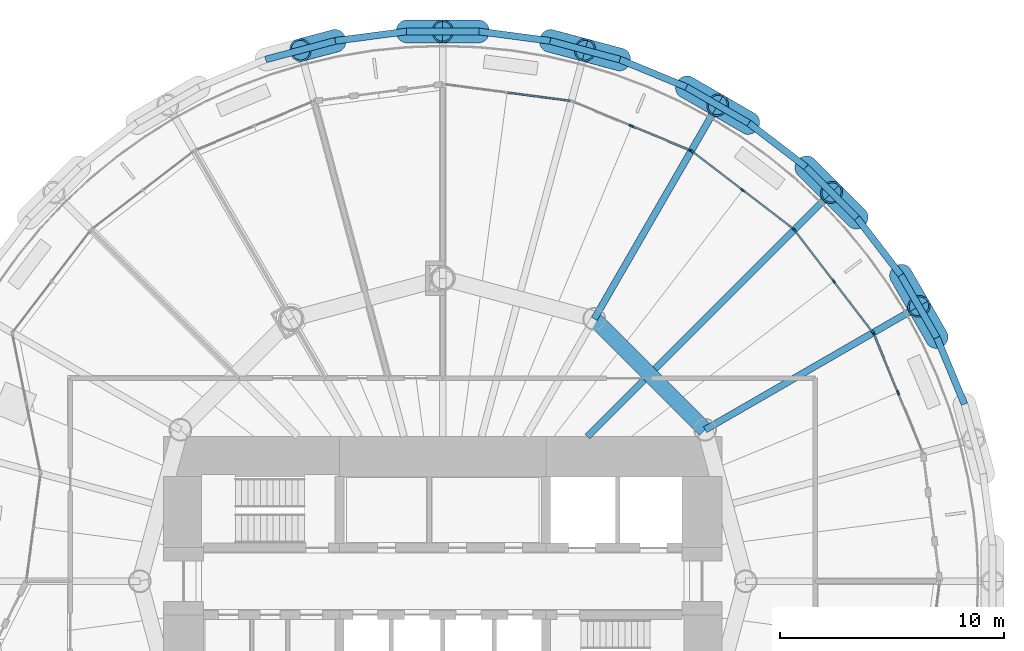
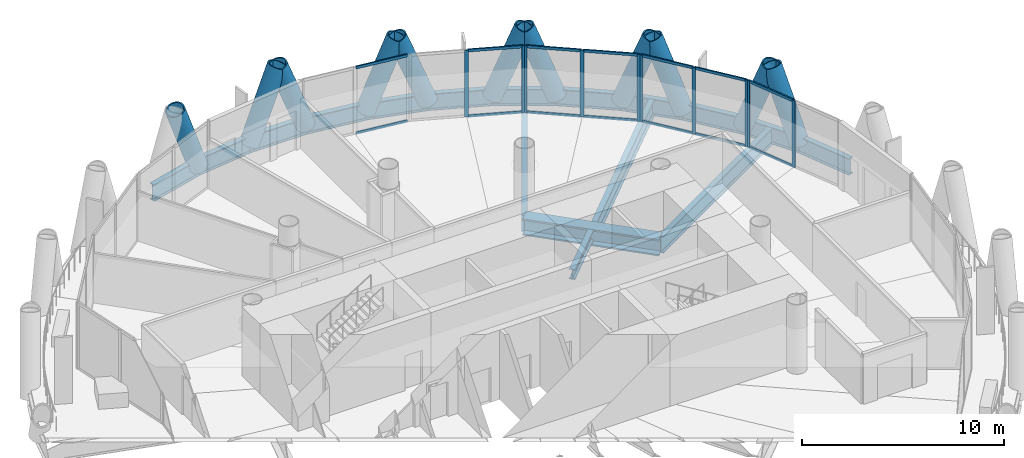
# One storey, part 7 of 16: 35 members, 17 beams, 5 elements without a shape of their own.
"""IFC4 building model written with IfcOpenShell, lengths in metres."""

from ifc_helpers import new_model, si_unit, direction, frame, origin, origin_2d, place, context, subcontext, project, spatial, rectangle, hollow_circle, i_section, extrude, material, material_profile, profile_set, type_object, element, aggregate, save


model = new_model("IFC4")

# Units and contexts
model_context = context("Model", 3, precision=1e-05, world=origin(), true_north=direction((0.0, 1.0)))
body_context = subcontext(model_context, "Body", "Model", "MODEL_VIEW")
ifc_project = project(units=[si_unit("LENGTHUNIT", "METRE"), si_unit("AREAUNIT", "SQUARE_METRE"), si_unit("VOLUMEUNIT", "CUBIC_METRE"), si_unit("PLANEANGLEUNIT", "RADIAN"), si_unit("MASSUNIT", "GRAM", prefix="KILO")], contexts=[model_context])

# Site, building, storey
site_placement = place(None, origin())
site = spatial("IfcSite", under=ifc_project, at=site_placement, CompositionType="ELEMENT")
building_placement = place(site_placement, origin())
building = spatial("IfcBuilding", under=site, at=building_placement, Name="Qaws Media Tower", CompositionType="ELEMENT")
storey_placement = place(building_placement, frame((0.0, 0.0, 173.0)))
storey = spatial("IfcBuildingStorey", under=building, at=storey_placement, Name="L39", CompositionType="ELEMENT", Elevation=173.0)

# Curtain wall, members
ifc_material_1 = material(Name="Aluminium and clear glass", Category="aluminium")
curtain_wall_type = type_object("IfcCurtainWallType", Name="Unitised curtain wall CW-B", PredefinedType="NOTDEFINED", material=ifc_material_1)
curtain_wall_1_placement = place(storey_placement, origin())
curtain_wall_1 = element("IfcCurtainWall", 1, at=curtain_wall_1_placement, inside=storey, type_object=curtain_wall_type, Name="CWB curtain wall L39-02", PredefinedType="NOTDEFINED")
ifc_material_2 = material(Name="Aluminium mullion", Category="aluminium")
ifc_material_profile_1 = material_profile(ifc_material_2, rectangle(XDim=0.080078125, YDim=0.199951171875, at=origin_2d()), Name="80x200")
ifc_profile_set_1 = profile_set([ifc_material_profile_1], Name="Aluminium mullion")
member_type_1 = type_object("IfcMemberType", Name="Curtain wall mullion 80x200", PredefinedType="MULLION", material=ifc_profile_set_1)
member_1_placement = place(storey_placement, frame((80.288818359375, 58.40380859375, 0.0), z_axis=(0.0, 0.0, 1.0), x_axis=(-0.923879550605, -0.382683388683, 0.0)))
member_1 = element("IfcMember", 2, at=member_1_placement, type_object=member_type_1, Name="CWB mullion 2", PredefinedType="MULLION", context=body_context, shape_type="SweptSolid", body=[
    extrude(rectangle(XDim=0.080078125, YDim=0.199951171875, at=origin_2d()), origin(), (0.0, 0.0, 1.0), 4.0400390625),
])
member_2_placement = place(storey_placement, frame((79.19775390625, 61.0380859375, 0.0), z_axis=(0.0, 0.0, 1.0), x_axis=(-0.923879550605, -0.382683388683, 0.0)))
member_2 = element("IfcMember", 3, at=member_2_placement, type_object=member_type_1, Name="CWB mullion 3", PredefinedType="MULLION", context=body_context, shape_type="SweptSolid", body=[
    extrude(rectangle(XDim=0.080078125, YDim=0.199951171875, at=origin_2d()), origin(), (0.0, 0.0, 1.0), 4.0400390625),
])

curtain_wall_2_placement = place(storey_placement, origin())
curtain_wall_2 = element("IfcCurtainWall", 4, at=curtain_wall_2_placement, inside=storey, type_object=curtain_wall_type, Name="CWB curtain wall L39-03", PredefinedType="NOTDEFINED")
member_3_placement = place(storey_placement, frame((79.158203125, 61.106689453125, 0.0), z_axis=(0.0, 0.0, 1.0), x_axis=(-0.793353284712, -0.60876150144, 0.0)))
member_3 = element("IfcMember", 5, at=member_3_placement, type_object=member_type_1, Name="CWB mullion 1", PredefinedType="MULLION", context=body_context, shape_type="SweptSolid", body=[
    extrude(rectangle(XDim=0.080078125, YDim=0.199951171875, at=origin_2d()), origin(), (0.0, 0.0, 1.0), 4.0400390625),
])
member_4_placement = place(storey_placement, frame((77.42236328125, 63.36865234375, 0.0), z_axis=(0.0, 0.0, 1.0), x_axis=(-0.793353284712, -0.60876150144, 0.0)))
member_4 = element("IfcMember", 6, at=member_4_placement, type_object=member_type_1, Name="CWB mullion 2", PredefinedType="MULLION", context=body_context, shape_type="SweptSolid", body=[
    extrude(rectangle(XDim=0.080078125, YDim=0.199951171875, at=origin_2d()), origin(), (0.0, 0.0, 1.0), 4.0400390625),
])
member_5_placement = place(storey_placement, frame((75.686767578125, 65.630615234375, 0.0), z_axis=(0.0, 0.0, 1.0), x_axis=(-0.793353284712, -0.60876150144, 0.0)))
member_5 = element("IfcMember", 7, at=member_5_placement, type_object=member_type_1, Name="CWB mullion 3", PredefinedType="MULLION", context=body_context, shape_type="SweptSolid", body=[
    extrude(rectangle(XDim=0.080078125, YDim=0.199951171875, at=origin_2d()), origin(), (0.0, 0.0, 1.0), 4.0400390625),
])

curtain_wall_3_placement = place(storey_placement, origin())
curtain_wall_3 = element("IfcCurtainWall", 8, at=curtain_wall_3_placement, inside=storey, type_object=curtain_wall_type, Name="CWB curtain wall L39-04", PredefinedType="NOTDEFINED")
member_6_placement = place(storey_placement, frame((75.630615234375, 65.686767578125, 0.0), z_axis=(0.0, 0.0, 1.0), x_axis=(-0.60876150144, -0.793353284712, 0.0)))
member_6 = element("IfcMember", 9, at=member_6_placement, type_object=member_type_1, Name="CWB mullion 1", PredefinedType="MULLION", context=body_context, shape_type="SweptSolid", body=[
    extrude(rectangle(XDim=0.080078125, YDim=0.199951171875, at=origin_2d()), origin(), (0.0, 0.0, 1.0), 4.0400390625),
])
member_7_placement = place(storey_placement, frame((73.36865234375, 67.42236328125, 0.0), z_axis=(0.0, 0.0, 1.0), x_axis=(-0.60876150144, -0.793353284712, 0.0)))
member_7 = element("IfcMember", 10, at=member_7_placement, type_object=member_type_1, Name="CWB mullion 2", PredefinedType="MULLION", context=body_context, shape_type="SweptSolid", body=[
    extrude(rectangle(XDim=0.080078125, YDim=0.199951171875, at=origin_2d()), origin(), (0.0, 0.0, 1.0), 4.0400390625),
])
member_8_placement = place(storey_placement, frame((71.106689453125, 69.158203125, 0.0), z_axis=(0.0, 0.0, 1.0), x_axis=(-0.60876150144, -0.793353284712, 0.0)))
member_8 = element("IfcMember", 11, at=member_8_placement, type_object=member_type_1, Name="CWB mullion 3", PredefinedType="MULLION", context=body_context, shape_type="SweptSolid", body=[
    extrude(rectangle(XDim=0.080078125, YDim=0.199951171875, at=origin_2d()), origin(), (0.0, 0.0, 1.0), 4.0400390625),
])

curtain_wall_4_placement = place(storey_placement, origin())
curtain_wall_4 = element("IfcCurtainWall", 12, at=curtain_wall_4_placement, inside=storey, type_object=curtain_wall_type, Name="CWB curtain wall L39-05", PredefinedType="NOTDEFINED")
member_9_placement = place(storey_placement, frame((71.0380859375, 69.19775390625, 0.0), z_axis=(0.0, 0.0, 1.0), x_axis=(-0.382683388683, -0.923879550605, 0.0)))
member_9 = element("IfcMember", 13, at=member_9_placement, type_object=member_type_1, Name="CWB mullion 1", PredefinedType="MULLION", context=body_context, shape_type="SweptSolid", body=[
    extrude(rectangle(XDim=0.080078125, YDim=0.199951171875, at=origin_2d()), origin(), (0.0, 0.0, 1.0), 4.0400390625),
])
member_10_placement = place(storey_placement, frame((68.40380859375, 70.288818359375, 0.0), z_axis=(0.0, 0.0, 1.0), x_axis=(-0.382683388683, -0.923879550605, 0.0)))
member_10 = element("IfcMember", 14, at=member_10_placement, type_object=member_type_1, Name="CWB mullion 2", PredefinedType="MULLION", context=body_context, shape_type="SweptSolid", body=[
    extrude(rectangle(XDim=0.080078125, YDim=0.199951171875, at=origin_2d()), origin(), (0.0, 0.0, 1.0), 4.0400390625),
])

# Member
ifc_material_3 = material(Name="Aluminium transom", Category="aluminium")
ifc_material_profile_2 = material_profile(ifc_material_3, rectangle(XDim=0.080078125, YDim=0.159912109375, at=origin_2d()), Name="80x160")
ifc_profile_set_2 = profile_set([ifc_material_profile_2], Name="Aluminium transom")
member_type_2 = type_object("IfcMemberType", Name="Curtain wall transom 80x160", PredefinedType="USERDEFINED", material=ifc_profile_set_2)
member_11_placement = place(storey_placement, frame((80.2734375, 58.44091796875, 0.0400390625), z_axis=(-0.382650085398, 0.923893344572, 0.0), x_axis=(-0.923893344572, -0.382650085398, 0.0)))
member_11 = element("IfcMember", 15, at=member_11_placement, type_object=member_type_2, Name="CWB transom 2.1", ObjectType="TRANSOM", PredefinedType="USERDEFINED", context=body_context, shape_type="SweptSolid", body=[
    extrude(rectangle(XDim=0.080078125, YDim=0.159912109375, at=origin_2d()), origin(), (0.0, 0.0, 1.0), 2.77099609375),
])

member_12_placement = place(storey_placement, frame((80.2734375, 58.44091796875, 4.0), z_axis=(-0.382650085398, 0.923893344572, 0.0), x_axis=(-0.923893344572, -0.382650085398, 0.0)))
member_12 = element("IfcMember", 16, at=member_12_placement, type_object=member_type_2, Name="CWB transom 2.2", ObjectType="TRANSOM", PredefinedType="USERDEFINED", context=body_context, shape_type="SweptSolid", body=[
    extrude(rectangle(XDim=0.080078125, YDim=0.159912109375, at=origin_2d()), origin(), (0.0, 0.0, 1.0), 2.77099609375),
])

aggregate(curtain_wall_1, [member_1, member_2, member_11, member_12])

member_13_placement = place(storey_placement, frame((79.1337890625, 61.138427734375, 0.0400390625), z_axis=(-0.608773654447, 0.793343959233, 0.0), x_axis=(-0.793343959233, -0.608773654447, 0.0)))
member_13 = element("IfcMember", 17, at=member_13_placement, type_object=member_type_2, Name="CWB transom 1.1", ObjectType="TRANSOM", PredefinedType="USERDEFINED", context=body_context, shape_type="SweptSolid", body=[
    extrude(rectangle(XDim=0.080078125, YDim=0.159912109375, at=origin_2d()), origin(), (0.0, 0.0, 1.0), 2.771240234375),
])

member_14_placement = place(storey_placement, frame((79.1337890625, 61.138427734375, 4.0), z_axis=(-0.608773654447, 0.793343959233, 0.0), x_axis=(-0.793343959233, -0.608773654447, 0.0)))
member_14 = element("IfcMember", 18, at=member_14_placement, type_object=member_type_2, Name="CWB transom 1.2", ObjectType="TRANSOM", PredefinedType="USERDEFINED", context=body_context, shape_type="SweptSolid", body=[
    extrude(rectangle(XDim=0.080078125, YDim=0.159912109375, at=origin_2d()), origin(), (0.0, 0.0, 1.0), 2.771240234375),
])

member_15_placement = place(storey_placement, frame((77.398193359375, 63.400390625, 0.0400390625), z_axis=(-0.608773654447, 0.793343959233, 0.0), x_axis=(-0.793343959233, -0.608773654447, 0.0)))
member_15 = element("IfcMember", 19, at=member_15_placement, type_object=member_type_2, Name="CWB transom 2.1", ObjectType="TRANSOM", PredefinedType="USERDEFINED", context=body_context, shape_type="SweptSolid", body=[
    extrude(rectangle(XDim=0.080078125, YDim=0.159912109375, at=origin_2d()), origin(), (0.0, 0.0, 1.0), 2.771240234375),
])

member_16_placement = place(storey_placement, frame((77.398193359375, 63.400390625, 4.0), z_axis=(-0.608773654447, 0.793343959233, 0.0), x_axis=(-0.793343959233, -0.608773654447, 0.0)))
member_16 = element("IfcMember", 20, at=member_16_placement, type_object=member_type_2, Name="CWB transom 2.2", ObjectType="TRANSOM", PredefinedType="USERDEFINED", context=body_context, shape_type="SweptSolid", body=[
    extrude(rectangle(XDim=0.080078125, YDim=0.159912109375, at=origin_2d()), origin(), (0.0, 0.0, 1.0), 2.771240234375),
])

aggregate(curtain_wall_2, [member_3, member_4, member_5, member_13, member_14, member_15, member_16])

member_17_placement = place(storey_placement, frame((75.598876953125, 65.711181640625, 0.0400390625), z_axis=(-0.793343959233, 0.608773654447, 0.0), x_axis=(-0.608773654447, -0.793343959233, 0.0)))
member_17 = element("IfcMember", 21, at=member_17_placement, type_object=member_type_2, Name="CWB transom 1.1", ObjectType="TRANSOM", PredefinedType="USERDEFINED", context=body_context, shape_type="SweptSolid", body=[
    extrude(rectangle(XDim=0.080078125, YDim=0.159912109375, at=origin_2d()), origin(), (0.0, 0.0, 1.0), 2.771240234375),
])

member_18_placement = place(storey_placement, frame((75.598876953125, 65.711181640625, 4.0), z_axis=(-0.793343959233, 0.608773654447, 0.0), x_axis=(-0.608773654447, -0.793343959233, 0.0)))
member_18 = element("IfcMember", 22, at=member_18_placement, type_object=member_type_2, Name="CWB transom 1.2", ObjectType="TRANSOM", PredefinedType="USERDEFINED", context=body_context, shape_type="SweptSolid", body=[
    extrude(rectangle(XDim=0.080078125, YDim=0.159912109375, at=origin_2d()), origin(), (0.0, 0.0, 1.0), 2.771240234375),
])

member_19_placement = place(storey_placement, frame((73.3369140625, 67.44677734375, 0.0400390625), z_axis=(-0.793343959233, 0.608773654447, 0.0), x_axis=(-0.608773654447, -0.793343959233, 0.0)))
member_19 = element("IfcMember", 23, at=member_19_placement, type_object=member_type_2, Name="CWB transom 2.1", ObjectType="TRANSOM", PredefinedType="USERDEFINED", context=body_context, shape_type="SweptSolid", body=[
    extrude(rectangle(XDim=0.080078125, YDim=0.159912109375, at=origin_2d()), origin(), (0.0, 0.0, 1.0), 2.771240234375),
])

member_20_placement = place(storey_placement, frame((73.3369140625, 67.44677734375, 4.0), z_axis=(-0.793343959233, 0.608773654447, 0.0), x_axis=(-0.608773654447, -0.793343959233, 0.0)))
member_20 = element("IfcMember", 24, at=member_20_placement, type_object=member_type_2, Name="CWB transom 2.2", ObjectType="TRANSOM", PredefinedType="USERDEFINED", context=body_context, shape_type="SweptSolid", body=[
    extrude(rectangle(XDim=0.080078125, YDim=0.159912109375, at=origin_2d()), origin(), (0.0, 0.0, 1.0), 2.771240234375),
])

aggregate(curtain_wall_3, [member_6, member_7, member_8, member_17, member_18, member_19, member_20])

member_21_placement = place(storey_placement, frame((71.0009765625, 69.213134765625, 0.0400390625), z_axis=(-0.923893344572, 0.382650085398, 0.0), x_axis=(-0.382650085398, -0.923893344572, 0.0)))
member_21 = element("IfcMember", 25, at=member_21_placement, type_object=member_type_2, Name="CWB transom 1.1", ObjectType="TRANSOM", PredefinedType="USERDEFINED", context=body_context, shape_type="SweptSolid", body=[
    extrude(rectangle(XDim=0.080078125, YDim=0.159912109375, at=origin_2d()), origin(), (0.0, 0.0, 1.0), 2.77099609375),
])

member_22_placement = place(storey_placement, frame((71.0009765625, 69.213134765625, 4.0), z_axis=(-0.923893344572, 0.382650085398, 0.0), x_axis=(-0.382650085398, -0.923893344572, 0.0)))
member_22 = element("IfcMember", 26, at=member_22_placement, type_object=member_type_2, Name="CWB transom 1.2", ObjectType="TRANSOM", PredefinedType="USERDEFINED", context=body_context, shape_type="SweptSolid", body=[
    extrude(rectangle(XDim=0.080078125, YDim=0.159912109375, at=origin_2d()), origin(), (0.0, 0.0, 1.0), 2.77099609375),
])

aggregate(curtain_wall_4, [member_9, member_10, member_21, member_22])

# Curtain wall, members
curtain_wall_5_placement = place(storey_placement, origin())
curtain_wall_5 = element("IfcCurtainWall", 27, at=curtain_wall_5_placement, inside=storey, type_object=curtain_wall_type, Name="CWB curtain wall L39-06", PredefinedType="NOTDEFINED")
member_23_placement = place(storey_placement, frame((65.653564453125, 71.40576171875, 0.0400390625), z_axis=(-0.991451896526, 0.130472743803, 0.0), x_axis=(-0.130472743803, -0.991451896526, 0.0)))
member_23 = element("IfcMember", 28, at=member_23_placement, type_object=member_type_2, Name="CWB transom 1.1", ObjectType="TRANSOM", PredefinedType="USERDEFINED", context=body_context, shape_type="SweptSolid", body=[
    extrude(rectangle(XDim=0.080078125, YDim=0.159912109375, at=origin_2d()), origin(), (0.0, 0.0, 1.0), 2.771240234375),
])
member_24_placement = place(storey_placement, frame((65.653564453125, 71.40576171875, 4.0), z_axis=(-0.991451896526, 0.130472743803, 0.0), x_axis=(-0.130472743803, -0.991451896526, 0.0)))
member_24 = element("IfcMember", 29, at=member_24_placement, type_object=member_type_2, Name="CWB transom 1.2", ObjectType="TRANSOM", PredefinedType="USERDEFINED", context=body_context, shape_type="SweptSolid", body=[
    extrude(rectangle(XDim=0.080078125, YDim=0.159912109375, at=origin_2d()), origin(), (0.0, 0.0, 1.0), 2.771240234375),
])
aggregate(curtain_wall_5, [member_23, member_24])

# Members
ifc_material_4 = material(Name="Steel S460", Category="steel")
ifc_material_profile_3 = material_profile(ifc_material_4, hollow_circle(Radius=0.508056640625, WallThickness=0.070068359375, at=origin_2d()), Name="CHS 1016x70")
ifc_profile_set_3 = profile_set([ifc_material_profile_3], Name="Steel S460")
member_type_3 = type_object("IfcMemberType", Name="Diagrid member CHS 1016x70", PredefinedType="USERDEFINED", material=ifc_profile_set_3)
for number, where, z_axis, x_axis, name in (
    (30, (82.018310546875, 60.858154296875, -0.6640625), (-0.178091829357, 0.309543146087, 0.934059067204), (-0.866779801332, -0.498691062685, 0.0), "DG3 diagrid L39 A02"),
    (31, (78.457763671875, 66.18701171875, -0.6640625), (-0.252099674082, 0.252914124892, 0.934066485727), (-0.708246232337, -0.705965490928, 0.0), "DG3 diagrid L39 A03"),
    (32, (80.41259765625, 63.63916015625, -0.6640625), (0.179018426595, -0.308952031339, 0.934077644134), (0.865242299532, 0.501353929975, 0.0), "DG3 diagrid L39 B03"),
    (33, (73.63916015625, 70.41259765625, -0.6640625), (-0.308952031339, 0.179018426595, 0.934077644134), (-0.501353929975, -0.865242299532, 0.0), "DG3 diagrid L39 A04"),
    (34, (76.18701171875, 68.457763671875, -0.6640625), (0.252914124892, -0.252099674082, 0.934066485727), (0.705965490928, 0.708246232337, 0.0), "DG3 diagrid L39 B04"),
    (35, (67.891357421875, 73.2470703125, -0.6640625), (-0.344782928051, 0.093009945788, 0.934063104136), (-0.260453274748, -0.965486453387, 0.0), "DG3 diagrid L39 A05"),
    (36, (70.858154296875, 72.018310546875, -0.6640625), (0.309543146087, -0.178091829357, 0.934059067204), (0.498691062685, 0.866779801332, 0.0), "DG3 diagrid L39 B05"),
    (37, (61.605712890625, 74.49755859375, -0.6640625), (-0.357108154799, 0.000542965113, 0.934062883839), (-0.001520448296, -0.999998844118, 0.0), "DG3 diagrid L39 A06"),
    (38, (64.78955078125, 74.078369140625, -0.6640625), (0.345058469608, -0.091870799461, 0.934074091686), (0.257284060318, 0.966335817564, 0.0), "DG3 diagrid L39 B06"),
    (39, (55.21044921875, 74.078369140625, -0.6640625), (-0.345058469608, -0.091870799461, 0.934074091686), (0.257284060318, -0.966335817564, 0.0), "DG3 diagrid L39 A07"),
    (40, (58.394287109375, 74.49755859375, -0.6640625), (0.357108154799, 0.000542965113, 0.934062883839), (-0.001520448296, 0.999998844118, 0.0), "DG3 diagrid L39 B07"),
):
    element("IfcMember", number, at=place(storey_placement, frame(where, z_axis=z_axis, x_axis=x_axis)), inside=storey, type_object=member_type_3, Name=name, ObjectType="DIAGRID", PredefinedType="USERDEFINED", context=body_context, shape_type="SweptSolid", body=[
        extrude(hollow_circle(Radius=0.508056640625, WallThickness=0.070068359375, at=origin_2d()), origin(), (0.0, 0.0, 1.0), 4.496337890625),
    ])

# Beams
ifc_material_5 = material(Name="Steel S460", Category="steel")
ifc_material_profile_4 = material_profile(ifc_material_5, i_section(OverallWidth=0.302001953125, OverallDepth=1.008056640625, WebThickness=0.02099609375, FlangeThickness=0.0400390625, FilletRadius=0.030029296875, at=origin_2d()), Name="HE 1000 M")
ifc_profile_set_4 = profile_set([ifc_material_profile_4], Name="Steel S460")
beam_type_1 = type_object("IfcBeamType", Name="Edge ring beam HE 1000 M", PredefinedType="BEAM", material=ifc_profile_set_4)
for number, where, z_axis, x_axis, name in (
    (41, (83.2470703125, 57.891357421875, -0.6640625), (-0.382649478893, 0.923893595769, 0.0), (-0.923893595769, -0.382649478893, 0.0), "RB3 edge ring beam L39-03"),
    (42, (82.018310546875, 60.858154296875, -0.6640625), (-0.500022983452, 0.866012133876, 0.0), (-0.866012133876, -0.500022983452, 0.0), "RB3 edge ring beam L39-04"),
):
    element("IfcBeam", number, at=place(storey_placement, frame(where, z_axis=z_axis, x_axis=x_axis)), inside=storey, type_object=beam_type_1, Name=name, PredefinedType="BEAM", context=body_context, shape_type="SweptSolid", body=[
        extrude(i_section(OverallWidth=0.302001953125, OverallDepth=1.008056640625, WebThickness=0.02099609375, FlangeThickness=0.0400390625, FilletRadius=0.030029296875, at=origin_2d()), origin(), (0.0, 0.0, 1.0), 3.211181640625),
    ])
for number, where, z_axis, x_axis, name in (
    (43, (80.41259765625, 63.63916015625, -0.6640625), (-0.608721978441, 0.793383610218, 0.0), (-0.793383610218, -0.608721978441, 0.0), "RB3 edge ring beam L39-05"),
    (44, (78.457763671875, 66.18701171875, -0.6640625), (-0.707106781187, 0.707106781187, 0.0), (-0.707106781187, -0.707106781187, 0.0), "RB3 edge ring beam L39-06"),
    (45, (76.18701171875, 68.457763671875, -0.6640625), (-0.793383610218, 0.608721978441, 0.0), (-0.608721978441, -0.793383610218, 0.0), "RB3 edge ring beam L39-07"),
):
    element("IfcBeam", number, at=place(storey_placement, frame(where, z_axis=z_axis, x_axis=x_axis)), inside=storey, type_object=beam_type_1, Name=name, PredefinedType="BEAM", context=body_context, shape_type="SweptSolid", body=[
        extrude(i_section(OverallWidth=0.302001953125, OverallDepth=1.008056640625, WebThickness=0.02099609375, FlangeThickness=0.0400390625, FilletRadius=0.030029296875, at=origin_2d()), origin(), (0.0, 0.0, 1.0), 3.21142578125),
    ])
for number, where, z_axis, x_axis, name in (
    (46, (73.63916015625, 70.41259765625, -0.6640625), (-0.866012133876, 0.500022983452, 0.0), (-0.500022983452, -0.866012133876, 0.0), "RB3 edge ring beam L39-08"),
    (47, (70.858154296875, 72.018310546875, -0.6640625), (-0.923893595769, 0.382649478893, 0.0), (-0.382649478893, -0.923893595769, 0.0), "RB3 edge ring beam L39-09"),
    (48, (67.891357421875, 73.2470703125, -0.6640625), (-0.965912415685, 0.258869088973, 0.0), (-0.258869088973, -0.965912415685, 0.0), "RB3 edge ring beam L39-10"),
):
    element("IfcBeam", number, at=place(storey_placement, frame(where, z_axis=z_axis, x_axis=x_axis)), inside=storey, type_object=beam_type_1, Name=name, PredefinedType="BEAM", context=body_context, shape_type="SweptSolid", body=[
        extrude(i_section(OverallWidth=0.302001953125, OverallDepth=1.008056640625, WebThickness=0.02099609375, FlangeThickness=0.0400390625, FilletRadius=0.030029296875, at=origin_2d()), origin(), (0.0, 0.0, 1.0), 3.211181640625),
    ])
for number, where, z_axis, x_axis, name in (
    (49, (64.78955078125, 74.078369140625, -0.6640625), (-0.991443682903, 0.130535143282, 0.0), (-0.130535143282, -0.991443682903, 0.0), "RB3 edge ring beam L39-11"),
    (50, (61.605712890625, 74.49755859375, -0.6640625), (-1.0, 0.0, 0.0), (0.0, -1.0, 0.0), "RB3 edge ring beam L39-12"),
    (51, (58.394287109375, 74.49755859375, -0.6640625), (-0.991443682903, -0.130535143282, 0.0), (0.130535143282, -0.991443682903, 0.0), "RB3 edge ring beam L39-13"),
):
    element("IfcBeam", number, at=place(storey_placement, frame(where, z_axis=z_axis, x_axis=x_axis)), inside=storey, type_object=beam_type_1, Name=name, PredefinedType="BEAM", context=body_context, shape_type="SweptSolid", body=[
        extrude(i_section(OverallWidth=0.302001953125, OverallDepth=1.008056640625, WebThickness=0.02099609375, FlangeThickness=0.0400390625, FilletRadius=0.030029296875, at=origin_2d()), origin(), (0.0, 0.0, 1.0), 3.21142578125),
    ])
beam_1_placement = place(storey_placement, frame((55.21044921875, 74.078369140625, -0.6640625), z_axis=(-0.965912415685, -0.258869088973, 0.0), x_axis=(0.258869088973, -0.965912415685, 0.0)))
element("IfcBeam", 52, at=beam_1_placement, inside=storey, type_object=beam_type_1, Name="RB3 edge ring beam L39-14", PredefinedType="BEAM", context=body_context, shape_type="SweptSolid", body=[
    extrude(i_section(OverallWidth=0.302001953125, OverallDepth=1.008056640625, WebThickness=0.02099609375, FlangeThickness=0.0400390625, FilletRadius=0.030029296875, at=origin_2d()), origin(), (0.0, 0.0, 1.0), 3.211181640625),
])
ifc_material_6 = material(Name="Steel S460", Category="steel")
ifc_material_profile_5 = material_profile(ifc_material_6, i_section(OverallWidth=0.699951171875, OverallDepth=1.0, WebThickness=0.034912109375, FlangeThickness=0.090087890625, at=origin_2d()), Name="PG 1000x700")
ifc_profile_set_5 = profile_set([ifc_material_profile_5], Name="Steel S460")
beam_type_2 = type_object("IfcBeamType", Name="Inner ring girder PG 1000x700", PredefinedType="BEAM", material=ifc_profile_set_5)
beam_2_placement = place(storey_placement, frame((71.69140625, 56.75, -0.659912109375), z_axis=(-0.707106781187, 0.707106781187, 0.0), x_axis=(-0.707106781187, -0.707106781187, 0.0)))
element("IfcBeam", 53, at=beam_2_placement, inside=storey, type_object=beam_type_2, Name="B3 inner ring beam L39 I02-I03", PredefinedType="BEAM", context=body_context, shape_type="SweptSolid", body=[
    extrude(i_section(OverallWidth=0.699951171875, OverallDepth=1.0, WebThickness=0.034912109375, FlangeThickness=0.090087890625, at=origin_2d()), origin(), (0.0, 0.0, 1.0), 6.98828125),
])
ifc_material_7 = material(Name="Steel S355", Category="steel")
ifc_material_profile_6 = material_profile(ifc_material_7, i_section(OverallWidth=0.302001953125, OverallDepth=1.008056640625, WebThickness=0.02099609375, FlangeThickness=0.0400390625, FilletRadius=0.030029296875, at=origin_2d()), Name="HE 1000 M")
ifc_profile_set_6 = profile_set([ifc_material_profile_6], Name="Steel S355")
beam_type_3 = type_object("IfcBeamType", Name="Radial beam HE 1000 M", PredefinedType="BEAM", material=ifc_profile_set_6)
beam_3_placement = place(storey_placement, frame((71.69140625, 56.75, -0.6640625), z_axis=(0.866019962865, 0.50000942383, 0.0), x_axis=(-0.50000942383, 0.866019962865, 0.0)))
element("IfcBeam", 54, at=beam_3_placement, inside=storey, type_object=beam_type_3, Name="B1 radial beam L39 03", PredefinedType="BEAM", context=body_context, shape_type="SweptSolid", body=[
    extrude(i_section(OverallWidth=0.302001953125, OverallDepth=1.008056640625, WebThickness=0.02099609375, FlangeThickness=0.0400390625, FilletRadius=0.030029296875, at=origin_2d()), origin(), (0.0, 0.0, 1.0), 10.997314453125),
])
beam_4_placement = place(storey_placement, frame((69.46826171875, 59.46826171875, -0.6640625), z_axis=(0.707106781187, 0.707106781187, 0.0), x_axis=(-0.707106781187, 0.707106781187, 0.0)))
element("IfcBeam", 55, at=beam_4_placement, inside=storey, type_object=beam_type_3, Name="B1 radial beam L39 04", PredefinedType="BEAM", context=body_context, shape_type="SweptSolid", body=[
    extrude(i_section(OverallWidth=0.302001953125, OverallDepth=1.008056640625, WebThickness=0.02099609375, FlangeThickness=0.0400390625, FilletRadius=0.030029296875, at=origin_2d()), origin(), (0.0, 0.0, 1.0), 11.107177734375),
])
beam_5_placement = place(storey_placement, frame((66.75, 61.69140625, -0.6640625), z_axis=(0.50000942383, 0.866019962865, 0.0), x_axis=(-0.866019962865, 0.50000942383, 0.0)))
element("IfcBeam", 56, at=beam_5_placement, inside=storey, type_object=beam_type_3, Name="B1 radial beam L39 05", PredefinedType="BEAM", context=body_context, shape_type="SweptSolid", body=[
    extrude(i_section(OverallWidth=0.302001953125, OverallDepth=1.008056640625, WebThickness=0.02099609375, FlangeThickness=0.0400390625, FilletRadius=0.030029296875, at=origin_2d()), origin(), (0.0, 0.0, 1.0), 10.997314453125),
])
ifc_material_8 = material(Name="Steel S355", Category="steel")
ifc_material_profile_7 = material_profile(ifc_material_8, i_section(OverallWidth=0.304931640625, OverallDepth=0.6201171875, WebThickness=0.02099609375, FlangeThickness=0.0400390625, FilletRadius=0.027099609375, at=origin_2d()), Name="HE 600 M")
ifc_profile_set_7 = profile_set([ifc_material_profile_7], Name="Steel S355")
beam_type_4 = type_object("IfcBeamType", Name="Radial beam HE 600 M, core side", PredefinedType="BEAM", material=ifc_profile_set_7)
beam_6_placement = place(storey_placement, frame((66.449951171875, 56.449951171875, -0.469970703125), z_axis=(0.707106781187, 0.707106781187, 0.0), x_axis=(-0.707106781187, 0.707106781187, 0.0)))
element("IfcBeam", 57, at=beam_6_placement, inside=storey, type_object=beam_type_4, Name="B2 radial beam L39 04", PredefinedType="BEAM", context=body_context, shape_type="SweptSolid", body=[
    extrude(i_section(OverallWidth=0.304931640625, OverallDepth=0.6201171875, WebThickness=0.02099609375, FlangeThickness=0.0400390625, FilletRadius=0.027099609375, at=origin_2d()), origin(), (0.0, 0.0, 1.0), 3.568359375),
])

save(model, "model.ifc")
